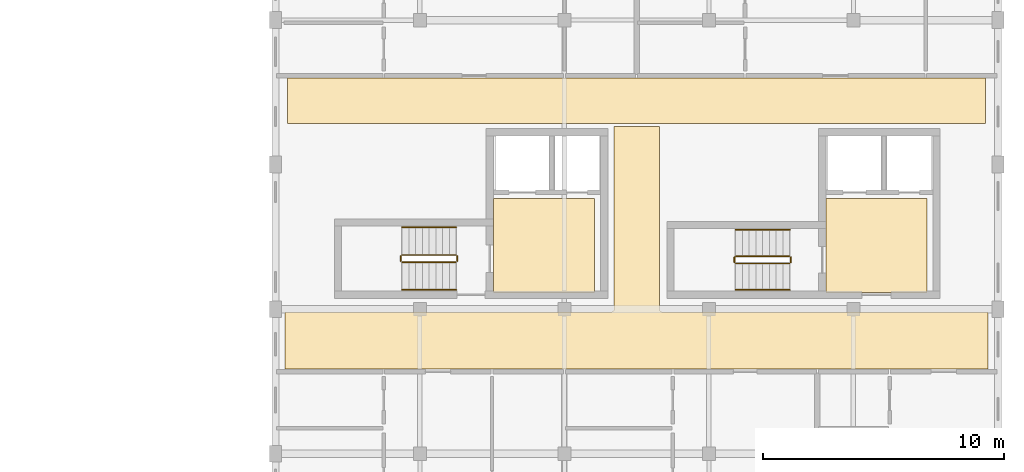
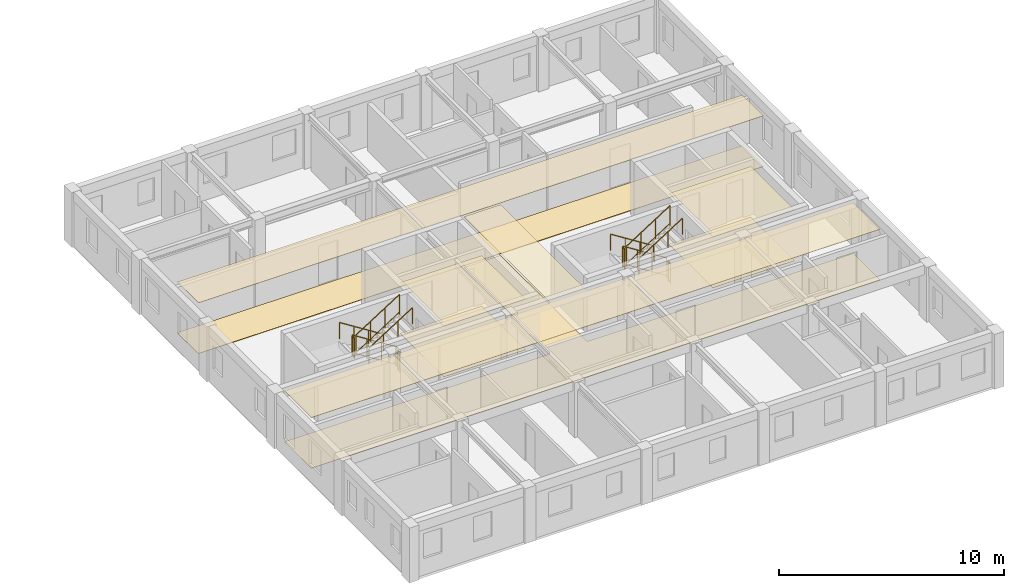
# One storey, part 28 of 28: 12 railings, 8 coverings.
"""IFC4 building model written with IfcOpenShell, lengths in metres."""

from ifc_helpers import new_model, si_unit, direction, frame, origin, origin_2d, place, context, subcontext, project, spatial, polyline, circle, outline, extrude, material, layer, layer_set, type_object, element, save


model = new_model("IFC4")

# Units and contexts
model_context = context("Model", 3, precision=1e-05, world=origin(), true_north=direction((0.0, 1.0)))
body_context = subcontext(model_context, "Body", "Model", "MODEL_VIEW")
ifc_project = project(units=[si_unit("LENGTHUNIT", "METRE"), si_unit("AREAUNIT", "SQUARE_METRE"), si_unit("VOLUMEUNIT", "CUBIC_METRE"), si_unit("PLANEANGLEUNIT", "RADIAN"), si_unit("MASSUNIT", "GRAM", prefix="KILO"), si_unit("POWERUNIT", "WATT"), si_unit("THERMODYNAMICTEMPERATUREUNIT", "KELVIN")], contexts=[model_context])

# Site, building, storey
site_placement = place(None, origin())
site = spatial("IfcSite", under=ifc_project, at=site_placement, CompositionType="ELEMENT")
building_placement = place(site_placement, origin())
building = spatial("IfcBuilding", under=site, at=building_placement, Name="Ruvembo Vaulted Housing Court", CompositionType="ELEMENT")
storey_placement = place(building_placement, frame((0.0, 0.0, 23.699951171875)))
storey = spatial("IfcBuildingStorey", under=building, at=storey_placement, Name="L07", CompositionType="ELEMENT", Elevation=23.699951171875)

# Coverings
ifc_material_1 = material(Name="Perforated Mineral-Fibre Acoustic Tile", Category="gypsum")
ifc_layer_1 = layer(ifc_material_1, 0.02001953125, Name="Perforated Mineral-Fibre Acoustic Tile")
ifc_layer_set_1 = layer_set([ifc_layer_1], Name="Perforated Mineral-Fibre Acoustic Tile")
covering_type_1 = type_object("IfcCoveringType", Name="COV-CEIL-ACOUST", PredefinedType="CEILING", material=ifc_layer_set_1)
covering_1_placement = place(storey_placement, frame((0.0, 0.0, 2.75)))
element("IfcCovering", 1, at=covering_1_placement, inside=storey, type_object=covering_type_1, Name="Protected Core Lobby D1 Ceiling", PredefinedType="CEILING", context=body_context, shape_type="SweptSolid", body=[
    extrude(outline(polyline([(169.25, 88.60009765625), (165.050048828125, 88.60009765625), (165.050048828125, 84.699951171875), (169.25, 84.699951171875), (169.25, 88.60009765625)])), origin(), (0.0, 0.0, 1.0), 0.02001953125),
])
covering_2_placement = place(storey_placement, frame((0.0, 0.0, 2.75)))
element("IfcCovering", 2, at=covering_2_placement, inside=storey, type_object=covering_type_1, Name="Protected Core Lobby D2 Ceiling", PredefinedType="CEILING", context=body_context, shape_type="SweptSolid", body=[
    extrude(outline(polyline([(183.050048828125, 88.60009765625), (178.85009765625, 88.60009765625), (178.85009765625, 84.699951171875), (183.050048828125, 84.699951171875), (183.050048828125, 88.60009765625)])), origin(), (0.0, 0.0, 1.0), 0.02001953125),
])
covering_3_placement = place(storey_placement, frame((0.0, 0.0, 2.75)))
element("IfcCovering", 3, at=covering_3_placement, inside=storey, type_object=covering_type_1, Name="Block D L07 Corridor Ceiling", PredefinedType="CEILING", context=body_context, shape_type="SweptSolid", body=[
    extrude(outline(polyline([(185.590087890625, 81.510009765625), (185.590087890625, 83.889892578125), (172.050048828125, 83.889892578125), (172.039306640625, 83.890380859375), (172.028564453125, 83.89208984375), (172.01806640625, 83.894775390625), (172.0078125, 83.8984375), (171.998046875, 83.903076171875), (171.989013671875, 83.908447265625), (171.980224609375, 83.9150390625), (171.97216796875, 83.922119140625), (171.965087890625, 83.93017578125), (171.95849609375, 83.93896484375), (171.952880859375, 83.947998046875), (171.948486328125, 83.9580078125), (171.944580078125, 83.968017578125), (171.942138671875, 83.978515625), (171.9404296875, 83.9892578125), (171.93994140625, 84.0), (171.93994140625, 91.590087890625), (170.06005859375, 91.590087890625), (170.06005859375, 84.0), (170.0595703125, 83.9892578125), (170.057861328125, 83.978515625), (170.055419921875, 83.968017578125), (170.051513671875, 83.9580078125), (170.047119140625, 83.947998046875), (170.04150390625, 83.93896484375), (170.034912109375, 83.93017578125), (170.02783203125, 83.922119140625), (170.019775390625, 83.9150390625), (170.010986328125, 83.908447265625), (170.001953125, 83.903076171875), (169.9921875, 83.8984375), (169.98193359375, 83.894775390625), (169.971435546875, 83.89208984375), (169.960693359375, 83.890380859375), (169.949951171875, 83.889892578125), (156.409912109375, 83.889892578125), (156.409912109375, 81.510009765625), (185.590087890625, 81.510009765625)])), origin(), (0.0, 0.0, 1.0), 0.02001953125),
])
covering_4_placement = place(storey_placement, frame((0.0, 0.0, 2.75)))
element("IfcCovering", 4, at=covering_4_placement, inside=storey, type_object=covering_type_1, Name="Block D L07 North Sub-Corridor Ceiling", PredefinedType="CEILING", context=body_context, shape_type="SweptSolid", body=[
    extrude(outline(polyline([(156.510009765625, 91.7099609375), (185.489990234375, 91.7099609375), (185.489990234375, 93.590087890625), (156.510009765625, 93.590087890625), (156.510009765625, 91.7099609375)])), origin(), (0.0, 0.0, 1.0), 0.02001953125),
])
ifc_material_2 = material(Name="Polished Cement-Aggregate Terrazzo", Category="stone")
ifc_layer_2 = layer(ifc_material_2, 0.02197265625, Name="Polished Cement-Aggregate Terrazzo")
ifc_layer_set_2 = layer_set([ifc_layer_2], Name="Polished Cement-Aggregate Terrazzo")
covering_type_2 = type_object("IfcCoveringType", Name="COV-FLR-CERAMIC", PredefinedType="FLOORING", material=ifc_layer_set_2)
covering_5_placement = place(storey_placement, origin())
element("IfcCovering", 5, at=covering_5_placement, inside=storey, type_object=covering_type_2, Name="Protected Core Lobby D1 Flooring", PredefinedType="FLOORING", context=body_context, shape_type="SweptSolid", body=[
    extrude(outline(polyline([(169.25, 88.60009765625), (165.050048828125, 88.60009765625), (165.050048828125, 84.699951171875), (169.25, 84.699951171875), (169.25, 88.60009765625)])), origin(), (0.0, 0.0, 1.0), 0.02197265625),
])
covering_6_placement = place(storey_placement, origin())
element("IfcCovering", 6, at=covering_6_placement, inside=storey, type_object=covering_type_2, Name="Protected Core Lobby D2 Flooring", PredefinedType="FLOORING", context=body_context, shape_type="SweptSolid", body=[
    extrude(outline(polyline([(183.050048828125, 88.60009765625), (178.85009765625, 88.60009765625), (178.85009765625, 84.699951171875), (183.050048828125, 84.699951171875), (183.050048828125, 88.60009765625)])), origin(), (0.0, 0.0, 1.0), 0.02197265625),
])
covering_7_placement = place(storey_placement, origin())
element("IfcCovering", 7, at=covering_7_placement, inside=storey, type_object=covering_type_2, Name="Block D L07 Corridor Flooring", PredefinedType="FLOORING", context=body_context, shape_type="SweptSolid", body=[
    extrude(outline(polyline([(185.590087890625, 81.510009765625), (185.590087890625, 83.889892578125), (172.050048828125, 83.889892578125), (172.039306640625, 83.890380859375), (172.028564453125, 83.89208984375), (172.01806640625, 83.894775390625), (172.0078125, 83.8984375), (171.998046875, 83.903076171875), (171.989013671875, 83.908447265625), (171.980224609375, 83.9150390625), (171.97216796875, 83.922119140625), (171.965087890625, 83.93017578125), (171.95849609375, 83.93896484375), (171.952880859375, 83.947998046875), (171.948486328125, 83.9580078125), (171.944580078125, 83.968017578125), (171.942138671875, 83.978515625), (171.9404296875, 83.9892578125), (171.93994140625, 84.0), (171.93994140625, 91.590087890625), (170.06005859375, 91.590087890625), (170.06005859375, 84.0), (170.0595703125, 83.9892578125), (170.057861328125, 83.978515625), (170.055419921875, 83.968017578125), (170.051513671875, 83.9580078125), (170.047119140625, 83.947998046875), (170.04150390625, 83.93896484375), (170.034912109375, 83.93017578125), (170.02783203125, 83.922119140625), (170.019775390625, 83.9150390625), (170.010986328125, 83.908447265625), (170.001953125, 83.903076171875), (169.9921875, 83.8984375), (169.98193359375, 83.894775390625), (169.971435546875, 83.89208984375), (169.960693359375, 83.890380859375), (169.949951171875, 83.889892578125), (156.409912109375, 83.889892578125), (156.409912109375, 81.510009765625), (185.590087890625, 81.510009765625)])), origin(), (0.0, 0.0, 1.0), 0.02197265625),
])
covering_8_placement = place(storey_placement, origin())
element("IfcCovering", 8, at=covering_8_placement, inside=storey, type_object=covering_type_2, Name="Block D L07 North Sub-Corridor Flooring", PredefinedType="FLOORING", context=body_context, shape_type="SweptSolid", body=[
    extrude(outline(polyline([(156.510009765625, 91.7099609375), (185.489990234375, 91.7099609375), (185.489990234375, 93.590087890625), (156.510009765625, 93.590087890625), (156.510009765625, 91.7099609375)])), origin(), (0.0, 0.0, 1.0), 0.02197265625),
])

# Railings
ifc_material_3 = material(Name="Painted Galvanised Steel S275", Category="steel")
ifc_layer_3 = layer(ifc_material_3, 0.06005859375, Name="Painted Galvanised Steel S275")
ifc_layer_set_3 = layer_set([ifc_layer_3], Name="Painted Galvanised Steel S275")
railing_type_1 = type_object("IfcRailingType", Name="RL-STAIR-GR1100", PredefinedType="GUARDRAIL", material=ifc_layer_set_3)
railing_1_placement = place(storey_placement, frame((163.5, 86.25, 0.177734375)))
element("IfcRailing", 9, at=railing_1_placement, inside=storey, type_object=railing_type_1, Name="L07 ST-D1 stair guard 1", PredefinedType="GUARDRAIL", context=body_context, shape_type="SweptSolid", body=[
    extrude(circle(Radius=0.02392578125, at=origin_2d()), frame((0.0, 0.0, 1.076171875), z_axis=(-0.84418770128, 0.0, 0.536047689118), x_axis=(0.0, -1.0, 0.0)), (0.0, 0.0, 1.0), 2.6533203125),
    extrude(circle(Radius=0.01806640625, at=origin_2d()), frame((0.0, 0.0, 0.1201171875), z_axis=(-0.84418770128, 0.0, 0.536047689118), x_axis=(0.0, -1.0, 0.0)), (0.0, 0.0, 1.0), 2.6533203125),
    extrude(circle(Radius=0.02099609375, at=origin_2d()), origin(), (0.0, 0.0, 1.0), 1.052001953125),
    extrude(circle(Radius=0.02099609375, at=origin_2d()), frame((-0.74658203125, 0.0, 0.47412109375)), (0.0, 0.0, 1.0), 1.052001953125),
    extrude(circle(Radius=0.02099609375, at=origin_2d()), frame((-1.493408203125, 0.0, 0.9482421875)), (0.0, 0.0, 1.0), 1.052001953125),
    extrude(circle(Radius=0.02099609375, at=origin_2d()), frame((-2.239990234375, 0.0, 1.42236328125)), (0.0, 0.0, 1.0), 1.052001953125),
])
railing_2_placement = place(storey_placement, frame((161.2099609375, 86.199951171875, 1.60009765625)))
element("IfcRailing", 10, at=railing_2_placement, inside=storey, type_object=railing_type_1, Name="L07 ST-D1 stair guard 2", PredefinedType="GUARDRAIL", context=body_context, shape_type="SweptSolid", body=[
    extrude(circle(Radius=0.02392578125, at=origin_2d()), frame((0.0, 0.0, 1.076171875), z_axis=(0.0, -1.0, 0.0), x_axis=(1.0, 0.0, 0.0)), (0.0, 0.0, 1.0), 0.199951171875),
    extrude(circle(Radius=0.01806640625, at=origin_2d()), frame((0.0, 0.0, 0.1201171875), z_axis=(0.0, -1.0, 0.0), x_axis=(1.0, 0.0, 0.0)), (0.0, 0.0, 1.0), 0.199951171875),
    extrude(circle(Radius=0.02099609375, at=origin_2d()), origin(), (0.0, 0.0, 1.0), 1.052001953125),
    extrude(circle(Radius=0.02099609375, at=origin_2d()), frame((0.0, -0.199951171875, 0.0)), (0.0, 0.0, 1.0), 1.052001953125),
])
railing_3_placement = place(storey_placement, frame((161.260009765625, 85.949951171875, 1.77783203125)))
element("IfcRailing", 11, at=railing_3_placement, inside=storey, type_object=railing_type_1, Name="L07 ST-D1 stair guard 3", PredefinedType="GUARDRAIL", context=body_context, shape_type="SweptSolid", body=[
    extrude(circle(Radius=0.02392578125, at=origin_2d()), frame((0.0, 0.0, 1.076171875), z_axis=(0.8442293374, 0.0, 0.53598211339), x_axis=(0.0, 1.0, 0.0)), (0.0, 0.0, 1.0), 2.6533203125),
    extrude(circle(Radius=0.01806640625, at=origin_2d()), frame((0.0, 0.0, 0.1201171875), z_axis=(0.8442293374, 0.0, 0.53598211339), x_axis=(0.0, 1.0, 0.0)), (0.0, 0.0, 1.0), 2.6533203125),
    extrude(circle(Radius=0.02099609375, at=origin_2d()), origin(), (0.0, 0.0, 1.0), 1.052001953125),
    extrude(circle(Radius=0.02099609375, at=origin_2d()), frame((0.74658203125, 0.0, 0.47412109375)), (0.0, 0.0, 1.0), 1.052001953125),
    extrude(circle(Radius=0.02099609375, at=origin_2d()), frame((1.493408203125, 0.0, 0.947998046875)), (0.0, 0.0, 1.0), 1.052001953125),
    extrude(circle(Radius=0.02099609375, at=origin_2d()), frame((2.239990234375, 0.0, 1.422119140625)), (0.0, 0.0, 1.0), 1.052001953125),
])
railing_4_placement = place(storey_placement, frame((163.550048828125, 86.199951171875, 0.0)))
element("IfcRailing", 12, at=railing_4_placement, inside=storey, type_object=railing_type_1, Name="L07 ST-D1 stair guard 4", PredefinedType="GUARDRAIL", context=body_context, shape_type="SweptSolid", body=[
    extrude(circle(Radius=0.02392578125, at=origin_2d()), frame((0.0, 0.0, 1.076171875), z_axis=(0.0, -1.0, 0.0), x_axis=(1.0, 0.0, 0.0)), (0.0, 0.0, 1.0), 0.199951171875),
    extrude(circle(Radius=0.01806640625, at=origin_2d()), frame((0.0, 0.0, 0.1201171875), z_axis=(0.0, -1.0, 0.0), x_axis=(1.0, 0.0, 0.0)), (0.0, 0.0, 1.0), 0.199951171875),
    extrude(circle(Radius=0.02099609375, at=origin_2d()), origin(), (0.0, 0.0, 1.0), 1.052001953125),
    extrude(circle(Radius=0.02099609375, at=origin_2d()), frame((0.0, -0.199951171875, 0.0)), (0.0, 0.0, 1.0), 1.052001953125),
])
railing_5_placement = place(storey_placement, frame((177.35009765625, 86.199951171875, 0.177734375)))
element("IfcRailing", 13, at=railing_5_placement, inside=storey, type_object=railing_type_1, Name="L07 ST-D2 stair guard 1", PredefinedType="GUARDRAIL", context=body_context, shape_type="SweptSolid", body=[
    extrude(circle(Radius=0.02392578125, at=origin_2d()), frame((0.0, 0.0, 1.076171875), z_axis=(-0.84418770128, 0.0, 0.536047689118), x_axis=(0.0, -1.0, 0.0)), (0.0, 0.0, 1.0), 2.6533203125),
    extrude(circle(Radius=0.01806640625, at=origin_2d()), frame((0.0, 0.0, 0.1201171875), z_axis=(-0.84418770128, 0.0, 0.536047689118), x_axis=(0.0, -1.0, 0.0)), (0.0, 0.0, 1.0), 2.6533203125),
    extrude(circle(Radius=0.02099609375, at=origin_2d()), origin(), (0.0, 0.0, 1.0), 1.052001953125),
    extrude(circle(Radius=0.02099609375, at=origin_2d()), frame((-0.74658203125, 0.0, 0.47412109375)), (0.0, 0.0, 1.0), 1.052001953125),
    extrude(circle(Radius=0.02099609375, at=origin_2d()), frame((-1.493408203125, 0.0, 0.9482421875)), (0.0, 0.0, 1.0), 1.052001953125),
    extrude(circle(Radius=0.02099609375, at=origin_2d()), frame((-2.239990234375, 0.0, 1.42236328125)), (0.0, 0.0, 1.0), 1.052001953125),
])
railing_6_placement = place(storey_placement, frame((175.06005859375, 86.14990234375, 1.60009765625)))
element("IfcRailing", 14, at=railing_6_placement, inside=storey, type_object=railing_type_1, Name="L07 ST-D2 stair guard 2", PredefinedType="GUARDRAIL", context=body_context, shape_type="SweptSolid", body=[
    extrude(circle(Radius=0.02392578125, at=origin_2d()), frame((0.0, 0.0, 1.076171875), z_axis=(0.0, -1.0, 0.0), x_axis=(1.0, 0.0, 0.0)), (0.0, 0.0, 1.0), 0.199951171875),
    extrude(circle(Radius=0.01806640625, at=origin_2d()), frame((0.0, 0.0, 0.1201171875), z_axis=(0.0, -1.0, 0.0), x_axis=(1.0, 0.0, 0.0)), (0.0, 0.0, 1.0), 0.199951171875),
    extrude(circle(Radius=0.02099609375, at=origin_2d()), origin(), (0.0, 0.0, 1.0), 1.052001953125),
    extrude(circle(Radius=0.02099609375, at=origin_2d()), frame((0.0, -0.199951171875, 0.0)), (0.0, 0.0, 1.0), 1.052001953125),
])
railing_7_placement = place(storey_placement, frame((175.110107421875, 85.89990234375, 1.77783203125)))
element("IfcRailing", 15, at=railing_7_placement, inside=storey, type_object=railing_type_1, Name="L07 ST-D2 stair guard 3", PredefinedType="GUARDRAIL", context=body_context, shape_type="SweptSolid", body=[
    extrude(circle(Radius=0.02392578125, at=origin_2d()), frame((0.0, 0.0, 1.076171875), z_axis=(0.8442293374, 0.0, 0.53598211339), x_axis=(0.0, 1.0, 0.0)), (0.0, 0.0, 1.0), 2.6533203125),
    extrude(circle(Radius=0.01806640625, at=origin_2d()), frame((0.0, 0.0, 0.1201171875), z_axis=(0.8442293374, 0.0, 0.53598211339), x_axis=(0.0, 1.0, 0.0)), (0.0, 0.0, 1.0), 2.6533203125),
    extrude(circle(Radius=0.02099609375, at=origin_2d()), origin(), (0.0, 0.0, 1.0), 1.052001953125),
    extrude(circle(Radius=0.02099609375, at=origin_2d()), frame((0.74658203125, 0.0, 0.47412109375)), (0.0, 0.0, 1.0), 1.052001953125),
    extrude(circle(Radius=0.02099609375, at=origin_2d()), frame((1.493408203125, 0.0, 0.947998046875)), (0.0, 0.0, 1.0), 1.052001953125),
    extrude(circle(Radius=0.02099609375, at=origin_2d()), frame((2.239990234375, 0.0, 1.422119140625)), (0.0, 0.0, 1.0), 1.052001953125),
])
railing_8_placement = place(storey_placement, frame((177.39990234375, 86.14990234375, 0.0)))
element("IfcRailing", 16, at=railing_8_placement, inside=storey, type_object=railing_type_1, Name="L07 ST-D2 stair guard 4", PredefinedType="GUARDRAIL", context=body_context, shape_type="SweptSolid", body=[
    extrude(circle(Radius=0.02392578125, at=origin_2d()), frame((0.0, 0.0, 1.076171875), z_axis=(0.0, -1.0, 0.0), x_axis=(1.0, 0.0, 0.0)), (0.0, 0.0, 1.0), 0.199951171875),
    extrude(circle(Radius=0.01806640625, at=origin_2d()), frame((0.0, 0.0, 0.1201171875), z_axis=(0.0, -1.0, 0.0), x_axis=(1.0, 0.0, 0.0)), (0.0, 0.0, 1.0), 0.199951171875),
    extrude(circle(Radius=0.02099609375, at=origin_2d()), origin(), (0.0, 0.0, 1.0), 1.052001953125),
    extrude(circle(Radius=0.02099609375, at=origin_2d()), frame((0.0, -0.199951171875, 0.0)), (0.0, 0.0, 1.0), 1.052001953125),
])
ifc_material_4 = material(Name="Brushed Stainless Steel 304", Category="steel")
ifc_layer_4 = layer(ifc_material_4, 0.050048828125, Name="Brushed Stainless Steel 304")
ifc_layer_set_4 = layer_set([ifc_layer_4], Name="Brushed Stainless Steel 304")
railing_type_2 = type_object("IfcRailingType", Name="RL-STAIR-HR920", PredefinedType="HANDRAIL", material=ifc_layer_set_4)
railing_9_placement = place(storey_placement, frame((163.5, 87.39990234375, 0.359375)))
element("IfcRailing", 17, at=railing_9_placement, inside=storey, type_object=railing_type_2, Name="L07 ST-D1 stair handrail 1", PredefinedType="HANDRAIL", context=body_context, shape_type="SweptSolid", body=[
    extrude(circle(Radius=0.02392578125, at=origin_2d()), frame((0.0, 0.0, 0.8759765625), z_axis=(-0.8442293374, 0.0, 0.53598211339), x_axis=(0.0, -1.0, 0.0)), (0.0, 0.0, 1.0), 2.6533203125),
    extrude(circle(Radius=0.02099609375, at=origin_2d()), origin(), (0.0, 0.0, 1.0), 0.851806640625),
    extrude(circle(Radius=0.02099609375, at=origin_2d()), frame((-0.74658203125, 0.0, 0.47412109375)), (0.0, 0.0, 1.0), 0.851806640625),
    extrude(circle(Radius=0.02099609375, at=origin_2d()), frame((-1.493408203125, 0.0, 0.947998046875)), (0.0, 0.0, 1.0), 0.851806640625),
    extrude(circle(Radius=0.02099609375, at=origin_2d()), frame((-2.239990234375, 0.0, 1.422119140625)), (0.0, 0.0, 1.0), 0.851806640625),
])
railing_10_placement = place(storey_placement, frame((161.260009765625, 84.800048828125, 1.959228515625)))
element("IfcRailing", 18, at=railing_10_placement, inside=storey, type_object=railing_type_2, Name="L07 ST-D1 stair handrail 2", PredefinedType="HANDRAIL", context=body_context, shape_type="SweptSolid", body=[
    extrude(circle(Radius=0.02392578125, at=origin_2d()), frame((0.0, 0.0, 0.8759765625), z_axis=(0.84418770128, 0.0, 0.536047689118), x_axis=(0.0, 1.0, 0.0)), (0.0, 0.0, 1.0), 2.6533203125),
    extrude(circle(Radius=0.02099609375, at=origin_2d()), origin(), (0.0, 0.0, 1.0), 0.851806640625),
    extrude(circle(Radius=0.02099609375, at=origin_2d()), frame((0.74658203125, 0.0, 0.47412109375)), (0.0, 0.0, 1.0), 0.851806640625),
    extrude(circle(Radius=0.02099609375, at=origin_2d()), frame((1.493408203125, 0.0, 0.9482421875)), (0.0, 0.0, 1.0), 0.851806640625),
    extrude(circle(Radius=0.02099609375, at=origin_2d()), frame((2.239990234375, 0.0, 1.42236328125)), (0.0, 0.0, 1.0), 0.851806640625),
])
railing_11_placement = place(storey_placement, frame((177.35009765625, 87.300048828125, 0.359375)))
element("IfcRailing", 19, at=railing_11_placement, inside=storey, type_object=railing_type_2, Name="L07 ST-D2 stair handrail 1", PredefinedType="HANDRAIL", context=body_context, shape_type="SweptSolid", body=[
    extrude(circle(Radius=0.02392578125, at=origin_2d()), frame((0.0, 0.0, 0.8759765625), z_axis=(-0.8442293374, 0.0, 0.53598211339), x_axis=(0.0, -1.0, 0.0)), (0.0, 0.0, 1.0), 2.6533203125),
    extrude(circle(Radius=0.02099609375, at=origin_2d()), origin(), (0.0, 0.0, 1.0), 0.851806640625),
    extrude(circle(Radius=0.02099609375, at=origin_2d()), frame((-0.74658203125, 0.0, 0.47412109375)), (0.0, 0.0, 1.0), 0.851806640625),
    extrude(circle(Radius=0.02099609375, at=origin_2d()), frame((-1.493408203125, 0.0, 0.947998046875)), (0.0, 0.0, 1.0), 0.851806640625),
    extrude(circle(Radius=0.02099609375, at=origin_2d()), frame((-2.239990234375, 0.0, 1.422119140625)), (0.0, 0.0, 1.0), 0.851806640625),
])
railing_12_placement = place(storey_placement, frame((175.110107421875, 84.800048828125, 1.959228515625)))
element("IfcRailing", 20, at=railing_12_placement, inside=storey, type_object=railing_type_2, Name="L07 ST-D2 stair handrail 2", PredefinedType="HANDRAIL", context=body_context, shape_type="SweptSolid", body=[
    extrude(circle(Radius=0.02392578125, at=origin_2d()), frame((0.0, 0.0, 0.8759765625), z_axis=(0.84418770128, 0.0, 0.536047689118), x_axis=(0.0, 1.0, 0.0)), (0.0, 0.0, 1.0), 2.6533203125),
    extrude(circle(Radius=0.02099609375, at=origin_2d()), origin(), (0.0, 0.0, 1.0), 0.851806640625),
    extrude(circle(Radius=0.02099609375, at=origin_2d()), frame((0.74658203125, 0.0, 0.47412109375)), (0.0, 0.0, 1.0), 0.851806640625),
    extrude(circle(Radius=0.02099609375, at=origin_2d()), frame((1.493408203125, 0.0, 0.9482421875)), (0.0, 0.0, 1.0), 0.851806640625),
    extrude(circle(Radius=0.02099609375, at=origin_2d()), frame((2.239990234375, 0.0, 1.42236328125)), (0.0, 0.0, 1.0), 0.851806640625),
])

save(model, "model.ifc")
